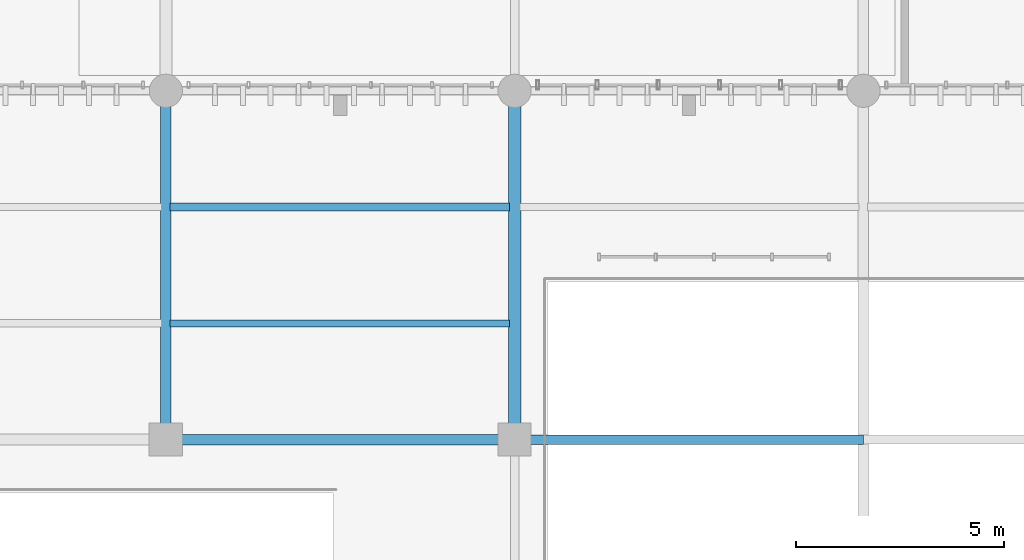
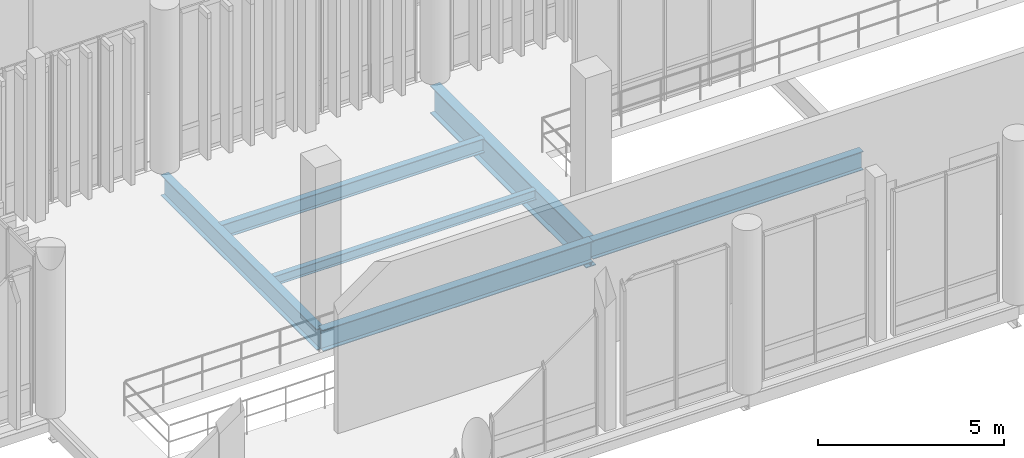
# One storey, part 26 of 128: 6 beams.
"""IFC4 building model written with IfcOpenShell, lengths in metres."""

from ifc_helpers import new_model, si_unit, direction, frame, origin_with_axes, origin_2d_with_axis, place, context, subcontext, project, spatial, i_section, extrude, material, material_profile, profile_set, type_object, element, save


model = new_model("IFC4")

# Units and contexts
model_context = context("Model", 3, precision=1e-05, world=origin_with_axes(), true_north=direction((0.0, 1.0)))
body_context = subcontext(model_context, "Body", "Model", "MODEL_VIEW")
ifc_project = project(units=[si_unit("LENGTHUNIT", "METRE"), si_unit("AREAUNIT", "SQUARE_METRE"), si_unit("VOLUMEUNIT", "CUBIC_METRE"), si_unit("PLANEANGLEUNIT", "RADIAN"), si_unit("MASSUNIT", "GRAM", prefix="KILO"), si_unit("THERMODYNAMICTEMPERATUREUNIT", "KELVIN")], contexts=[model_context])

# Site, building, storey
site_placement = place(None, origin_with_axes())
site = spatial("IfcSite", under=ifc_project, at=site_placement, CompositionType="ELEMENT")
building_placement = place(site_placement, origin_with_axes())
building = spatial("IfcBuilding", under=site, at=building_placement, Name="Montbau Bow Law Courts", CompositionType="ELEMENT")
storey_placement = place(building_placement, frame((0.0, 0.0, 5.4), z_axis=(0.0, 0.0, 1.0), x_axis=(1.0, 0.0, 0.0)))
storey = spatial("IfcBuildingStorey", under=building, at=storey_placement, Name="L01", CompositionType="ELEMENT", Elevation=5.4)

# Beams
ifc_material = material(Name="Steel CSA G40.21 Grade 350W (350 MPa)", Category="steel")
ifc_material_profile_1 = material_profile(ifc_material, i_section(OverallWidth=0.306, OverallDepth=0.919, WebThickness=0.0173, FlangeThickness=0.0279, at=origin_2d_with_axis()), Name="W920X253", Category="Main", Priority=0)
ifc_profile_set_1 = profile_set([ifc_material_profile_1], Name="Steel CSA G40.21 Grade 350W (350 MPa)")
beam_type_1 = type_object("IfcBeamType", Name="B-FLR-01", PredefinedType="BEAM", material=ifc_profile_set_1)
beam_1_placement = place(None, frame((63.6, 30.6, 4.7), z_axis=(0.0, 1.0, 0.0), x_axis=(-1.0, 0.0, 0.0)))
element("IfcBeam", 1, at=beam_1_placement, inside=storey, type_object=beam_type_1, Name="BM-L01-S1085:bm2_1088", PredefinedType="BEAM", context=body_context, shape_type="SweptSolid", body=[
    extrude(i_section(OverallWidth=0.306, OverallDepth=0.919, WebThickness=0.0173, FlangeThickness=0.0279, at=origin_2d_with_axis()), origin_with_axes(), (0.0, 0.0, 1.0), 8.4),
])
ifc_material_profile_2 = material_profile(ifc_material, i_section(OverallWidth=0.254, OverallDepth=0.688, WebThickness=0.0131, FlangeThickness=0.0211, at=origin_2d_with_axis()), Name="W690X152", Category="Main", Priority=0)
ifc_profile_set_2 = profile_set([ifc_material_profile_2], Name="Steel CSA G40.21 Grade 350W (350 MPa)")
beam_type_2 = type_object("IfcBeamType", Name="B-FLR-04", PredefinedType="BEAM", material=ifc_profile_set_2)
for number, where, z_axis, x_axis, name in (
    (2, (55.2, 30.6, 4.816), (1.0, 0.0, 0.0), (0.0, 1.0, 0.0), "BM-L01-S1071:bm2_1074"),
    (3, (55.2, 30.6, 4.816), (0.0, 1.0, 0.0), (-1.0, 0.0, 0.0), "BM-L01-S1083:bm2_1086"),
):
    element("IfcBeam", number, at=place(None, frame(where, z_axis=z_axis, x_axis=x_axis)), inside=storey, type_object=beam_type_2, Name=name, PredefinedType="BEAM", context=body_context, shape_type="SweptSolid", body=[
        extrude(i_section(OverallWidth=0.254, OverallDepth=0.688, WebThickness=0.0131, FlangeThickness=0.0211, at=origin_2d_with_axis()), origin_with_axes(), (0.0, 0.0, 1.0), 8.4),
    ])
ifc_material_profile_3 = material_profile(ifc_material, i_section(OverallWidth=0.229, OverallDepth=0.612, WebThickness=0.0119, FlangeThickness=0.0196, at=origin_2d_with_axis()), Name="W610X125", Category="Main", Priority=0)
ifc_profile_set_3 = profile_set([ifc_material_profile_3], Name="Steel CSA G40.21 Grade 350W (350 MPa)")
beam_type_3 = type_object("IfcBeamType", Name="B-FLR-05", PredefinedType="BEAM", material=ifc_profile_set_3)
beam_2_placement = place(None, frame((63.6, 30.6, 4.854), z_axis=(1.0, 0.0, 0.0), x_axis=(0.0, 1.0, 0.0)))
element("IfcBeam", 4, at=beam_2_placement, inside=storey, type_object=beam_type_3, Name="BM-L01-S1072:bm2_1075", PredefinedType="BEAM", context=body_context, shape_type="SweptSolid", body=[
    extrude(i_section(OverallWidth=0.229, OverallDepth=0.612, WebThickness=0.0119, FlangeThickness=0.0196, at=origin_2d_with_axis()), origin_with_axes(), (0.0, 0.0, 1.0), 8.4),
])
ifc_material_profile_4 = material_profile(ifc_material, i_section(OverallWidth=0.191, OverallDepth=0.46, WebThickness=0.0099, FlangeThickness=0.016, at=origin_2d_with_axis()), Name="W460X82", Category="Main", Priority=0)
ifc_profile_set_4 = profile_set([ifc_material_profile_4], Name="Steel CSA G40.21 Grade 350W (350 MPa)")
beam_type_4 = type_object("IfcBeamType", Name="B-JST-01", PredefinedType="JOIST", material=ifc_profile_set_4)
beam_3_placement = place(None, frame((55.303, 36.2, 4.93), z_axis=(1.0, 0.0, 0.0), x_axis=(0.0, 1.0, 0.0)))
element("IfcBeam", 5, at=beam_3_placement, inside=storey, type_object=beam_type_4, Name="JST-L01-S0548:jst2_0548", PredefinedType="JOIST", context=body_context, shape_type="SweptSolid", body=[
    extrude(i_section(OverallWidth=0.191, OverallDepth=0.46, WebThickness=0.0099, FlangeThickness=0.016, at=origin_2d_with_axis()), origin_with_axes(), (0.0, 0.0, 1.0), 8.168),
])
ifc_material_profile_5 = material_profile(ifc_material, i_section(OverallWidth=0.166, OverallDepth=0.313, WebThickness=0.0066, FlangeThickness=0.0112, at=origin_2d_with_axis()), Name="W310X45", Category="Main", Priority=0)
ifc_profile_set_5 = profile_set([ifc_material_profile_5], Name="Steel CSA G40.21 Grade 350W (350 MPa)")
beam_type_5 = type_object("IfcBeamType", Name="B-JST-04", PredefinedType="JOIST", material=ifc_profile_set_5)
beam_4_placement = place(None, frame((55.303, 33.4, 5.003), z_axis=(1.0, 0.0, 0.0), x_axis=(0.0, 1.0, 0.0)))
element("IfcBeam", 6, at=beam_4_placement, inside=storey, type_object=beam_type_5, Name="JST-L01-S0547:jst2_0547", PredefinedType="JOIST", context=body_context, shape_type="SweptSolid", body=[
    extrude(i_section(OverallWidth=0.166, OverallDepth=0.313, WebThickness=0.0066, FlangeThickness=0.0112, at=origin_2d_with_axis()), origin_with_axes(), (0.0, 0.0, 1.0), 8.168),
])

save(model, "model.ifc")
